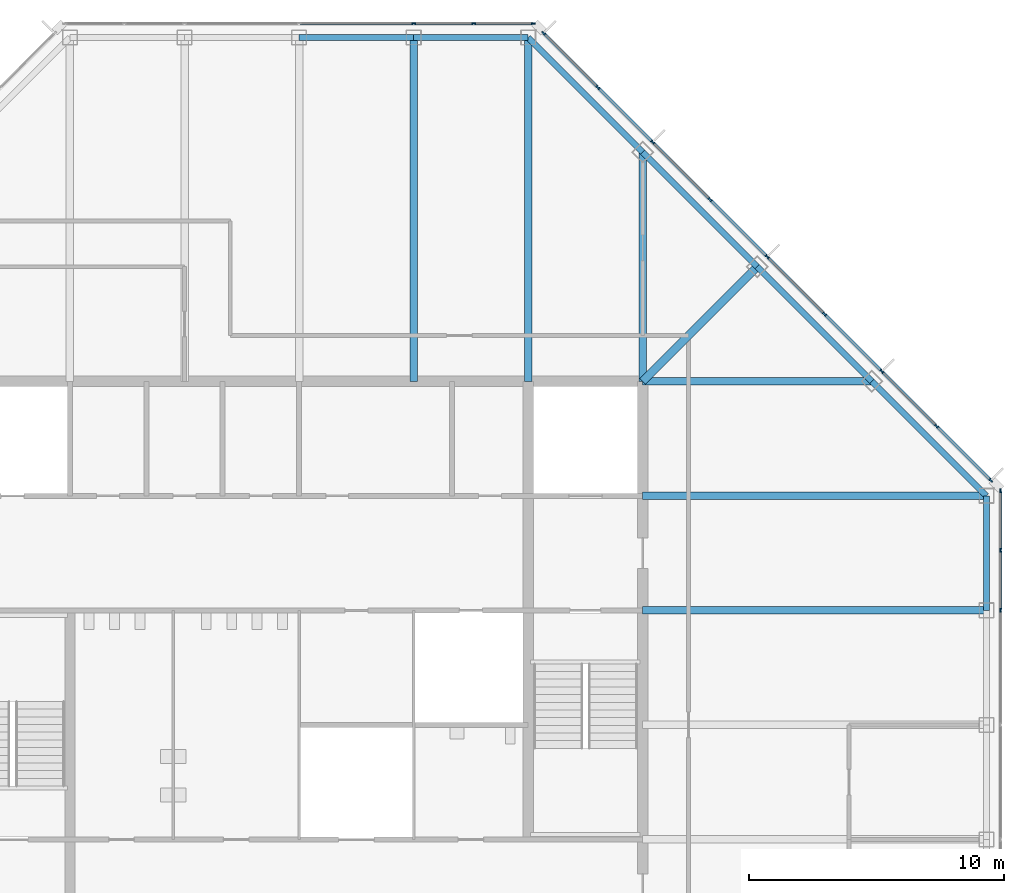
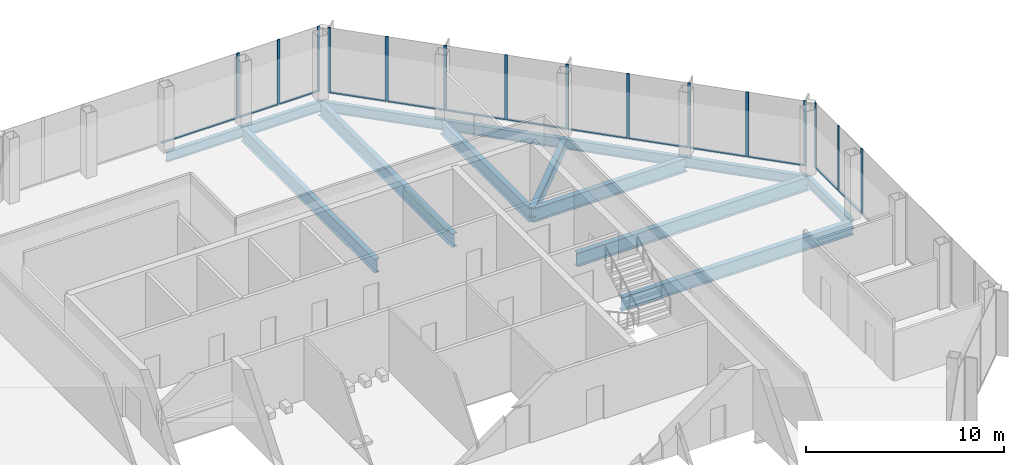
# One storey, part 7 of 13: 28 members, 14 beams, 3 elements without a shape of their own.
"""IFC4 building model written with IfcOpenShell, lengths in metres."""

from ifc_helpers import new_model, si_unit, direction, frame, origin, origin_2d, place, context, subcontext, project, spatial, rectangle, i_section, extrude, material, material_profile, profile_set, type_object, element, aggregate, save


model = new_model("IFC4")

# Units and contexts
model_context = context("Model", 3, precision=1e-05, world=origin(), true_north=direction((0.0, 1.0)))
body_context = subcontext(model_context, "Body", "Model", "MODEL_VIEW")
ifc_project = project(units=[si_unit("LENGTHUNIT", "METRE"), si_unit("AREAUNIT", "SQUARE_METRE"), si_unit("VOLUMEUNIT", "CUBIC_METRE"), si_unit("PLANEANGLEUNIT", "RADIAN"), si_unit("MASSUNIT", "GRAM", prefix="KILO")], contexts=[model_context])

# Site, building, storey
site_placement = place(None, origin())
site = spatial("IfcSite", under=ifc_project, at=site_placement, CompositionType="ELEMENT")
building_placement = place(site_placement, origin())
building = spatial("IfcBuilding", under=site, at=building_placement, Name="Corais Broadcast Tower", CompositionType="ELEMENT")
storey_placement = place(building_placement, frame((0.0, 0.0, 274.60009765625)))
storey = spatial("IfcBuildingStorey", under=building, at=storey_placement, Name="L64", CompositionType="ELEMENT", Elevation=274.60009765625)

# Beams
ifc_material_1 = material(Name="Steel ASTM A572 Grade 50", Category="steel")
ifc_material_profile_1 = material_profile(ifc_material_1, i_section(OverallWidth=0.323974609375, OverallDepth=0.611083984375, WebThickness=0.0126953125, FlangeThickness=0.01904296875, at=origin_2d()), Name="W610x155")
ifc_profile_set_1 = profile_set([ifc_material_profile_1], Name="Steel ASTM A572 Grade 50")
beam_type_1 = type_object("IfcBeamType", Name="Corner diagonal W610x155", PredefinedType="BEAM", material=ifc_profile_set_1)
beam_1_placement = place(storey_placement, frame((45.0, 45.0, -0.465576171875), z_axis=(-0.707106781187, -0.707106781187, 0.0), x_axis=(0.707106781187, -0.707106781187, 0.0)))
element("IfcBeam", 1, at=beam_1_placement, inside=storey, type_object=beam_type_1, Name="B6 L/13 to K/12", PredefinedType="BEAM", context=body_context, shape_type="SweptSolid", body=[
    extrude(i_section(OverallWidth=0.323974609375, OverallDepth=0.611083984375, WebThickness=0.0126953125, FlangeThickness=0.01904296875, at=origin_2d()), origin(), (0.0, 0.0, 1.0), 6.364013671875),
])
ifc_material_2 = material(Name="Steel ASTM A572 Grade 50", Category="steel")
ifc_material_profile_2 = material_profile(ifc_material_2, i_section(OverallWidth=0.2939453125, OverallDepth=0.85107421875, WebThickness=0.01611328125, FlangeThickness=0.02685546875, at=origin_2d()), Name="W840x226")
ifc_profile_set_2 = profile_set([ifc_material_profile_2], Name="Steel ASTM A572 Grade 50")
beam_type_2 = type_object("IfcBeamType", Name="Floor beam W840x226", PredefinedType="BEAM", material=ifc_profile_set_2)
for number, where, z_axis, x_axis, name in (
    (2, (31.5, 54.0, -0.585693359375), (0.0, -1.0, 0.0), (1.0, 0.0, 0.0), "B1 N/10 to K/10"),
    (3, (36.0, 54.0, -0.585693359375), (0.0, -1.0, 0.0), (1.0, 0.0, 0.0), "B1 N/11 to K/11"),
):
    element("IfcBeam", number, at=place(storey_placement, frame(where, z_axis=z_axis, x_axis=x_axis)), inside=storey, type_object=beam_type_2, Name=name, PredefinedType="BEAM", context=body_context, shape_type="SweptSolid", body=[
        extrude(i_section(OverallWidth=0.2939453125, OverallDepth=0.85107421875, WebThickness=0.01611328125, FlangeThickness=0.02685546875, at=origin_2d()), origin(), (0.0, 0.0, 1.0), 13.5),
    ])
for number, where, z_axis, x_axis, name in (
    (4, (40.5, 49.5, -0.585693359375), (0.0, -1.0, 0.0), (1.0, 0.0, 0.0), "B1 M/12 to K/12"),
    (5, (49.5, 40.5, -0.585693359375), (-1.0, 0.0, 0.0), (0.0, -1.0, 0.0), "B1 K/14 to K/12"),
):
    element("IfcBeam", number, at=place(storey_placement, frame(where, z_axis=z_axis, x_axis=x_axis)), inside=storey, type_object=beam_type_2, Name=name, PredefinedType="BEAM", context=body_context, shape_type="SweptSolid", body=[
        extrude(i_section(OverallWidth=0.2939453125, OverallDepth=0.85107421875, WebThickness=0.01611328125, FlangeThickness=0.02685546875, at=origin_2d()), origin(), (0.0, 0.0, 1.0), 9.0),
    ])
for number, where, z_axis, x_axis, name in (
    (6, (54.0, 31.5, -0.585693359375), (-1.0, 0.0, 0.0), (0.0, -1.0, 0.0), "B1 H/15 to H/12"),
    (7, (54.0, 36.0, -0.585693359375), (-1.0, 0.0, 0.0), (0.0, -1.0, 0.0), "B1 J/15 to J/12"),
):
    element("IfcBeam", number, at=place(storey_placement, frame(where, z_axis=z_axis, x_axis=x_axis)), inside=storey, type_object=beam_type_2, Name=name, PredefinedType="BEAM", context=body_context, shape_type="SweptSolid", body=[
        extrude(i_section(OverallWidth=0.2939453125, OverallDepth=0.85107421875, WebThickness=0.01611328125, FlangeThickness=0.02685546875, at=origin_2d()), origin(), (0.0, 0.0, 1.0), 13.5),
    ])

# Curtain wall, members
ifc_material_3 = material(Name="Aluminium and glass", Category="aluminium")
curtain_wall_type = type_object("IfcCurtainWallType", Name="Unitised fritted curtain wall CW3", PredefinedType="NOTDEFINED", material=ifc_material_3)
curtain_wall_1_placement = place(storey_placement, origin())
curtain_wall_1 = element("IfcCurtainWall", 8, at=curtain_wall_1_placement, inside=storey, type_object=curtain_wall_type, Name="CW3 curtain wall L64 4", PredefinedType="NOTDEFINED")
ifc_material_4 = material(Name="Aluminium 6063-T6", Category="aluminium")
ifc_material_profile_3 = material_profile(ifc_material_4, rectangle(XDim=0.06494140625, YDim=0.159912109375, at=origin_2d()), Name="Mullion CW3 65x160")
ifc_profile_set_3 = profile_set([ifc_material_profile_3], Name="Aluminium 6063-T6")
member_type_1 = type_object("IfcMemberType", Name="Mullion CW3 65x160", PredefinedType="MULLION", material=ifc_profile_set_3)
member_1_placement = place(storey_placement, frame((31.5, 54.550048828125, 0.0), z_axis=(0.0, 0.0, 1.0), x_axis=(0.0, 1.0, 0.0)))
member_1 = element("IfcMember", 9, at=member_1_placement, type_object=member_type_1, Name="CW3 mullion 5", PredefinedType="MULLION", context=body_context, shape_type="SweptSolid", body=[
    extrude(rectangle(XDim=0.06494140625, YDim=0.159912109375, at=origin_2d()), origin(), (0.0, 0.0, 1.0), 4.0),
])
member_2_placement = place(storey_placement, frame((33.864013671875, 54.550048828125, 0.0), z_axis=(0.0, 0.0, 1.0), x_axis=(0.0, 1.0, 0.0)))
member_2 = element("IfcMember", 10, at=member_2_placement, type_object=member_type_1, Name="CW3 mullion 6", PredefinedType="MULLION", context=body_context, shape_type="SweptSolid", body=[
    extrude(rectangle(XDim=0.06494140625, YDim=0.159912109375, at=origin_2d()), origin(), (0.0, 0.0, 1.0), 4.0),
])
member_3_placement = place(storey_placement, frame((36.1953125, 54.550048828125, 0.0), z_axis=(0.0, 0.0, 1.0), x_axis=(0.0, 1.0, 0.0)))
member_3 = element("IfcMember", 11, at=member_3_placement, type_object=member_type_1, Name="CW3 mullion 7", PredefinedType="MULLION", context=body_context, shape_type="SweptSolid", body=[
    extrude(rectangle(XDim=0.06494140625, YDim=0.159912109375, at=origin_2d()), origin(), (0.0, 0.0, 1.0), 4.0),
])

curtain_wall_2_placement = place(storey_placement, origin())
curtain_wall_2 = element("IfcCurtainWall", 12, at=curtain_wall_2_placement, inside=storey, type_object=curtain_wall_type, Name="CW3 curtain wall L64 5", PredefinedType="NOTDEFINED")
member_4_placement = place(storey_placement, frame((36.6044921875, 54.17333984375, 0.0), z_axis=(0.0, 0.0, 1.0), x_axis=(0.707106781187, 0.707106781187, 0.0)))
member_4 = element("IfcMember", 13, at=member_4_placement, type_object=member_type_1, Name="CW3 mullion 1", PredefinedType="MULLION", context=body_context, shape_type="SweptSolid", body=[
    extrude(rectangle(XDim=0.06494140625, YDim=0.159912109375, at=origin_2d()), origin(), (0.0, 0.0, 1.0), 4.0),
])
member_5_placement = place(storey_placement, frame((38.735107421875, 52.042724609375, 0.0), z_axis=(0.0, 0.0, 1.0), x_axis=(0.707106781187, 0.707106781187, 0.0)))
member_5 = element("IfcMember", 14, at=member_5_placement, type_object=member_type_1, Name="CW3 mullion 2", PredefinedType="MULLION", context=body_context, shape_type="SweptSolid", body=[
    extrude(rectangle(XDim=0.06494140625, YDim=0.159912109375, at=origin_2d()), origin(), (0.0, 0.0, 1.0), 4.0),
])
member_6_placement = place(storey_placement, frame((40.888916015625, 49.888916015625, 0.0), z_axis=(0.0, 0.0, 1.0), x_axis=(0.707106781187, 0.707106781187, 0.0)))
member_6 = element("IfcMember", 15, at=member_6_placement, type_object=member_type_1, Name="CW3 mullion 3", PredefinedType="MULLION", context=body_context, shape_type="SweptSolid", body=[
    extrude(rectangle(XDim=0.06494140625, YDim=0.159912109375, at=origin_2d()), origin(), (0.0, 0.0, 1.0), 4.0),
])
member_7_placement = place(storey_placement, frame((43.138916015625, 47.638916015625, 0.0), z_axis=(0.0, 0.0, 1.0), x_axis=(0.707106781187, 0.707106781187, 0.0)))
member_7 = element("IfcMember", 16, at=member_7_placement, type_object=member_type_1, Name="CW3 mullion 4", PredefinedType="MULLION", context=body_context, shape_type="SweptSolid", body=[
    extrude(rectangle(XDim=0.06494140625, YDim=0.159912109375, at=origin_2d()), origin(), (0.0, 0.0, 1.0), 4.0),
])
member_8_placement = place(storey_placement, frame((45.388916015625, 45.388916015625, 0.0), z_axis=(0.0, 0.0, 1.0), x_axis=(0.707106781187, 0.707106781187, 0.0)))
member_8 = element("IfcMember", 17, at=member_8_placement, type_object=member_type_1, Name="CW3 mullion 5", PredefinedType="MULLION", context=body_context, shape_type="SweptSolid", body=[
    extrude(rectangle(XDim=0.06494140625, YDim=0.159912109375, at=origin_2d()), origin(), (0.0, 0.0, 1.0), 4.0),
])
member_9_placement = place(storey_placement, frame((47.638916015625, 43.138916015625, 0.0), z_axis=(0.0, 0.0, 1.0), x_axis=(0.707106781187, 0.707106781187, 0.0)))
member_9 = element("IfcMember", 18, at=member_9_placement, type_object=member_type_1, Name="CW3 mullion 6", PredefinedType="MULLION", context=body_context, shape_type="SweptSolid", body=[
    extrude(rectangle(XDim=0.06494140625, YDim=0.159912109375, at=origin_2d()), origin(), (0.0, 0.0, 1.0), 4.0),
])
member_10_placement = place(storey_placement, frame((49.888916015625, 40.888916015625, 0.0), z_axis=(0.0, 0.0, 1.0), x_axis=(0.707106781187, 0.707106781187, 0.0)))
member_10 = element("IfcMember", 19, at=member_10_placement, type_object=member_type_1, Name="CW3 mullion 7", PredefinedType="MULLION", context=body_context, shape_type="SweptSolid", body=[
    extrude(rectangle(XDim=0.06494140625, YDim=0.159912109375, at=origin_2d()), origin(), (0.0, 0.0, 1.0), 4.0),
])
member_11_placement = place(storey_placement, frame((52.042724609375, 38.735107421875, 0.0), z_axis=(0.0, 0.0, 1.0), x_axis=(0.707106781187, 0.707106781187, 0.0)))
member_11 = element("IfcMember", 20, at=member_11_placement, type_object=member_type_1, Name="CW3 mullion 8", PredefinedType="MULLION", context=body_context, shape_type="SweptSolid", body=[
    extrude(rectangle(XDim=0.06494140625, YDim=0.159912109375, at=origin_2d()), origin(), (0.0, 0.0, 1.0), 4.0),
])
member_12_placement = place(storey_placement, frame((54.17333984375, 36.6044921875, 0.0), z_axis=(0.0, 0.0, 1.0), x_axis=(0.707106781187, 0.707106781187, 0.0)))
member_12 = element("IfcMember", 21, at=member_12_placement, type_object=member_type_1, Name="CW3 mullion 9", PredefinedType="MULLION", context=body_context, shape_type="SweptSolid", body=[
    extrude(rectangle(XDim=0.06494140625, YDim=0.159912109375, at=origin_2d()), origin(), (0.0, 0.0, 1.0), 4.0),
])

curtain_wall_3_placement = place(storey_placement, origin())
curtain_wall_3 = element("IfcCurtainWall", 22, at=curtain_wall_3_placement, inside=storey, type_object=curtain_wall_type, Name="CW3 curtain wall L64 6", PredefinedType="NOTDEFINED")
member_13_placement = place(storey_placement, frame((54.550048828125, 36.1953125, 0.0), z_axis=(0.0, 0.0, 1.0), x_axis=(1.0, 0.0, 0.0)))
member_13 = element("IfcMember", 23, at=member_13_placement, type_object=member_type_1, Name="CW3 mullion 1", PredefinedType="MULLION", context=body_context, shape_type="SweptSolid", body=[
    extrude(rectangle(XDim=0.06494140625, YDim=0.159912109375, at=origin_2d()), origin(), (0.0, 0.0, 1.0), 4.0),
])
member_14_placement = place(storey_placement, frame((54.550048828125, 33.864013671875, 0.0), z_axis=(0.0, 0.0, 1.0), x_axis=(1.0, 0.0, 0.0)))
member_14 = element("IfcMember", 24, at=member_14_placement, type_object=member_type_1, Name="CW3 mullion 2", PredefinedType="MULLION", context=body_context, shape_type="SweptSolid", body=[
    extrude(rectangle(XDim=0.06494140625, YDim=0.159912109375, at=origin_2d()), origin(), (0.0, 0.0, 1.0), 4.0),
])
member_15_placement = place(storey_placement, frame((54.550048828125, 31.5, 0.0), z_axis=(0.0, 0.0, 1.0), x_axis=(1.0, 0.0, 0.0)))
member_15 = element("IfcMember", 25, at=member_15_placement, type_object=member_type_1, Name="CW3 mullion 3", PredefinedType="MULLION", context=body_context, shape_type="SweptSolid", body=[
    extrude(rectangle(XDim=0.06494140625, YDim=0.159912109375, at=origin_2d()), origin(), (0.0, 0.0, 1.0), 4.0),
])

# Beams
ifc_material_5 = material(Name="Steel ASTM A572 Grade 50", Category="steel")
ifc_material_profile_4 = material_profile(ifc_material_5, i_section(OverallWidth=0.22998046875, OverallDepth=0.616943359375, WebThickness=0.01318359375, FlangeThickness=0.022216796875, at=origin_2d()), Name="W610x140")
ifc_profile_set_4 = profile_set([ifc_material_profile_4], Name="Steel ASTM A572 Grade 50")
beam_type_3 = type_object("IfcBeamType", Name="Spandrel W610x140", PredefinedType="BEAM", material=ifc_profile_set_4)
for number, where, z_axis, x_axis, name in (
    (26, (31.5, 54.0, -0.468505859375), (-1.0, 0.0, 0.0), (0.0, -1.0, 0.0), "SB3 N/10 to N/9"),
    (27, (36.0, 54.0, -0.468505859375), (-1.0, 0.0, 0.0), (0.0, -1.0, 0.0), "SB3 N/11 to N/10"),
):
    element("IfcBeam", number, at=place(storey_placement, frame(where, z_axis=z_axis, x_axis=x_axis)), inside=storey, type_object=beam_type_3, Name=name, PredefinedType="BEAM", context=body_context, shape_type="SweptSolid", body=[
        extrude(i_section(OverallWidth=0.22998046875, OverallDepth=0.616943359375, WebThickness=0.01318359375, FlangeThickness=0.022216796875, at=origin_2d()), origin(), (0.0, 0.0, 1.0), 4.5),
    ])
for number, where, z_axis, x_axis, name in (
    (28, (40.5, 49.5, -0.468505859375), (-0.707106781187, 0.707106781187, 0.0), (-0.707106781187, -0.707106781187, 0.0), "SB3 M/12 to N/11"),
    (29, (45.0, 45.0, -0.468505859375), (-0.707106781187, 0.707106781187, 0.0), (-0.707106781187, -0.707106781187, 0.0), "SB3 L/13 to M/12"),
    (30, (49.5, 40.5, -0.468505859375), (-0.707106781187, 0.707106781187, 0.0), (-0.707106781187, -0.707106781187, 0.0), "SB3 K/14 to L/13"),
):
    element("IfcBeam", number, at=place(storey_placement, frame(where, z_axis=z_axis, x_axis=x_axis)), inside=storey, type_object=beam_type_3, Name=name, PredefinedType="BEAM", context=body_context, shape_type="SweptSolid", body=[
        extrude(i_section(OverallWidth=0.22998046875, OverallDepth=0.616943359375, WebThickness=0.01318359375, FlangeThickness=0.022216796875, at=origin_2d()), origin(), (0.0, 0.0, 1.0), 6.364013671875),
    ])
beam_2_placement = place(storey_placement, frame((54.0, 31.5, -0.468505859375), z_axis=(0.0, 1.0, 0.0), x_axis=(-1.0, 0.0, 0.0)))
element("IfcBeam", 31, at=beam_2_placement, inside=storey, type_object=beam_type_3, Name="SB3 H/15 to J/15", PredefinedType="BEAM", context=body_context, shape_type="SweptSolid", body=[
    extrude(i_section(OverallWidth=0.22998046875, OverallDepth=0.616943359375, WebThickness=0.01318359375, FlangeThickness=0.022216796875, at=origin_2d()), origin(), (0.0, 0.0, 1.0), 4.5),
])
beam_3_placement = place(storey_placement, frame((54.0, 36.0, -0.468505859375), z_axis=(-0.707106781187, 0.707106781187, 0.0), x_axis=(-0.707106781187, -0.707106781187, 0.0)))
element("IfcBeam", 32, at=beam_3_placement, inside=storey, type_object=beam_type_3, Name="SB3 J/15 to K/14", PredefinedType="BEAM", context=body_context, shape_type="SweptSolid", body=[
    extrude(i_section(OverallWidth=0.22998046875, OverallDepth=0.616943359375, WebThickness=0.01318359375, FlangeThickness=0.022216796875, at=origin_2d()), origin(), (0.0, 0.0, 1.0), 6.364013671875),
])

# Member
ifc_material_6 = material(Name="Aluminium 6063-T6", Category="aluminium")
ifc_material_profile_5 = material_profile(ifc_material_6, rectangle(XDim=0.1201171875, YDim=0.06494140625, at=origin_2d()), Name="Transom CW3 65x120")
ifc_profile_set_5 = profile_set([ifc_material_profile_5], Name="Aluminium 6063-T6")
member_type_2 = type_object("IfcMemberType", Name="Transom CW3 65x120", PredefinedType="USERDEFINED", material=ifc_profile_set_5)
member_16_placement = place(storey_placement, frame((27.032470703125, 54.550048828125, 0.032470703125), z_axis=(1.0, 0.0, 0.0), x_axis=(0.0, 1.0, 0.0)))
member_16 = element("IfcMember", 33, at=member_16_placement, type_object=member_type_2, Name="CW3 transom 4.1", ObjectType="TRANSOM", PredefinedType="USERDEFINED", context=body_context, shape_type="SweptSolid", body=[
    extrude(rectangle(XDim=0.1201171875, YDim=0.06494140625, at=origin_2d()), origin(), (0.0, 0.0, 1.0), 4.43505859375),
])

member_17_placement = place(storey_placement, frame((31.532470703125, 54.550048828125, 0.032470703125), z_axis=(1.0, 0.0, 0.0), x_axis=(0.0, 1.0, 0.0)))
member_17 = element("IfcMember", 34, at=member_17_placement, type_object=member_type_2, Name="CW3 transom 5.1", ObjectType="TRANSOM", PredefinedType="USERDEFINED", context=body_context, shape_type="SweptSolid", body=[
    extrude(rectangle(XDim=0.1201171875, YDim=0.06494140625, at=origin_2d()), origin(), (0.0, 0.0, 1.0), 2.298828125),
])

member_18_placement = place(storey_placement, frame((33.896484375, 54.550048828125, 0.032470703125), z_axis=(1.0, 0.0, 0.0), x_axis=(0.0, 1.0, 0.0)))
member_18 = element("IfcMember", 35, at=member_18_placement, type_object=member_type_2, Name="CW3 transom 6.1", ObjectType="TRANSOM", PredefinedType="USERDEFINED", context=body_context, shape_type="SweptSolid", body=[
    extrude(rectangle(XDim=0.1201171875, YDim=0.06494140625, at=origin_2d()), origin(), (0.0, 0.0, 1.0), 2.266357421875),
])

aggregate(curtain_wall_1, [member_1, member_2, member_3, member_16, member_17, member_18])

member_19_placement = place(storey_placement, frame((36.62744140625, 54.150390625, 0.032470703125), z_axis=(0.707106781187, -0.707106781187, 0.0), x_axis=(0.707106781187, 0.707106781187, 0.0)))
member_19 = element("IfcMember", 36, at=member_19_placement, type_object=member_type_2, Name="CW3 transom 1.1", ObjectType="TRANSOM", PredefinedType="USERDEFINED", context=body_context, shape_type="SweptSolid", body=[
    extrude(rectangle(XDim=0.1201171875, YDim=0.06494140625, at=origin_2d()), origin(), (0.0, 0.0, 1.0), 2.9482421875),
])

member_20_placement = place(storey_placement, frame((38.758056640625, 52.019775390625, 0.032470703125), z_axis=(0.707106781187, -0.707106781187, 0.0), x_axis=(0.707106781187, 0.707106781187, 0.0)))
member_20 = element("IfcMember", 37, at=member_20_placement, type_object=member_type_2, Name="CW3 transom 2.1", ObjectType="TRANSOM", PredefinedType="USERDEFINED", context=body_context, shape_type="SweptSolid", body=[
    extrude(rectangle(XDim=0.1201171875, YDim=0.06494140625, at=origin_2d()), origin(), (0.0, 0.0, 1.0), 2.98095703125),
])

member_21_placement = place(storey_placement, frame((40.911865234375, 49.865966796875, 0.032470703125), z_axis=(0.707106781187, -0.707106781187, 0.0), x_axis=(0.707106781187, 0.707106781187, 0.0)))
member_21 = element("IfcMember", 38, at=member_21_placement, type_object=member_type_2, Name="CW3 transom 3.1", ObjectType="TRANSOM", PredefinedType="USERDEFINED", context=body_context, shape_type="SweptSolid", body=[
    extrude(rectangle(XDim=0.1201171875, YDim=0.06494140625, at=origin_2d()), origin(), (0.0, 0.0, 1.0), 3.1171875),
])

member_22_placement = place(storey_placement, frame((43.161865234375, 47.615966796875, 0.032470703125), z_axis=(0.707106781187, -0.707106781187, 0.0), x_axis=(0.707106781187, 0.707106781187, 0.0)))
member_22 = element("IfcMember", 39, at=member_22_placement, type_object=member_type_2, Name="CW3 transom 4.1", ObjectType="TRANSOM", PredefinedType="USERDEFINED", context=body_context, shape_type="SweptSolid", body=[
    extrude(rectangle(XDim=0.1201171875, YDim=0.06494140625, at=origin_2d()), origin(), (0.0, 0.0, 1.0), 3.1171875),
])

member_23_placement = place(storey_placement, frame((45.411865234375, 45.365966796875, 0.032470703125), z_axis=(0.707106781187, -0.707106781187, 0.0), x_axis=(0.707106781187, 0.707106781187, 0.0)))
member_23 = element("IfcMember", 40, at=member_23_placement, type_object=member_type_2, Name="CW3 transom 5.1", ObjectType="TRANSOM", PredefinedType="USERDEFINED", context=body_context, shape_type="SweptSolid", body=[
    extrude(rectangle(XDim=0.1201171875, YDim=0.06494140625, at=origin_2d()), origin(), (0.0, 0.0, 1.0), 3.1171875),
])

member_24_placement = place(storey_placement, frame((47.661865234375, 43.115966796875, 0.032470703125), z_axis=(0.707106781187, -0.707106781187, 0.0), x_axis=(0.707106781187, 0.707106781187, 0.0)))
member_24 = element("IfcMember", 41, at=member_24_placement, type_object=member_type_2, Name="CW3 transom 6.1", ObjectType="TRANSOM", PredefinedType="USERDEFINED", context=body_context, shape_type="SweptSolid", body=[
    extrude(rectangle(XDim=0.1201171875, YDim=0.06494140625, at=origin_2d()), origin(), (0.0, 0.0, 1.0), 3.1171875),
])

member_25_placement = place(storey_placement, frame((49.911865234375, 40.865966796875, 0.032470703125), z_axis=(0.707065828661, -0.70714773134, 0.0), x_axis=(0.70714773134, 0.707065828661, 0.0)))
member_25 = element("IfcMember", 42, at=member_25_placement, type_object=member_type_2, Name="CW3 transom 7.1", ObjectType="TRANSOM", PredefinedType="USERDEFINED", context=body_context, shape_type="SweptSolid", body=[
    extrude(rectangle(XDim=0.1201171875, YDim=0.06494140625, at=origin_2d()), origin(), (0.0, 0.0, 1.0), 2.98095703125),
])

member_26_placement = place(storey_placement, frame((52.065673828125, 38.712158203125, 0.032470703125), z_axis=(0.707106781187, -0.707106781187, 0.0), x_axis=(0.707106781187, 0.707106781187, 0.0)))
member_26 = element("IfcMember", 43, at=member_26_placement, type_object=member_type_2, Name="CW3 transom 8.1", ObjectType="TRANSOM", PredefinedType="USERDEFINED", context=body_context, shape_type="SweptSolid", body=[
    extrude(rectangle(XDim=0.1201171875, YDim=0.06494140625, at=origin_2d()), origin(), (0.0, 0.0, 1.0), 2.9482421875),
])

aggregate(curtain_wall_2, [member_4, member_5, member_6, member_7, member_8, member_9, member_10, member_11, member_12, member_19, member_20, member_21, member_22, member_23, member_24, member_25, member_26])

member_27_placement = place(storey_placement, frame((54.550048828125, 36.162841796875, 0.032470703125), z_axis=(0.0, -1.0, 0.0), x_axis=(1.0, 0.0, 0.0)))
member_27 = element("IfcMember", 44, at=member_27_placement, type_object=member_type_2, Name="CW3 transom 1.1", ObjectType="TRANSOM", PredefinedType="USERDEFINED", context=body_context, shape_type="SweptSolid", body=[
    extrude(rectangle(XDim=0.1201171875, YDim=0.06494140625, at=origin_2d()), origin(), (0.0, 0.0, 1.0), 2.266357421875),
])

member_28_placement = place(storey_placement, frame((54.550048828125, 33.831298828125, 0.032470703125), z_axis=(0.0, -1.0, 0.0), x_axis=(1.0, 0.0, 0.0)))
member_28 = element("IfcMember", 45, at=member_28_placement, type_object=member_type_2, Name="CW3 transom 2.1", ObjectType="TRANSOM", PredefinedType="USERDEFINED", context=body_context, shape_type="SweptSolid", body=[
    extrude(rectangle(XDim=0.1201171875, YDim=0.06494140625, at=origin_2d()), origin(), (0.0, 0.0, 1.0), 2.298828125),
])

aggregate(curtain_wall_3, [member_13, member_14, member_15, member_27, member_28])

save(model, "model.ifc")
